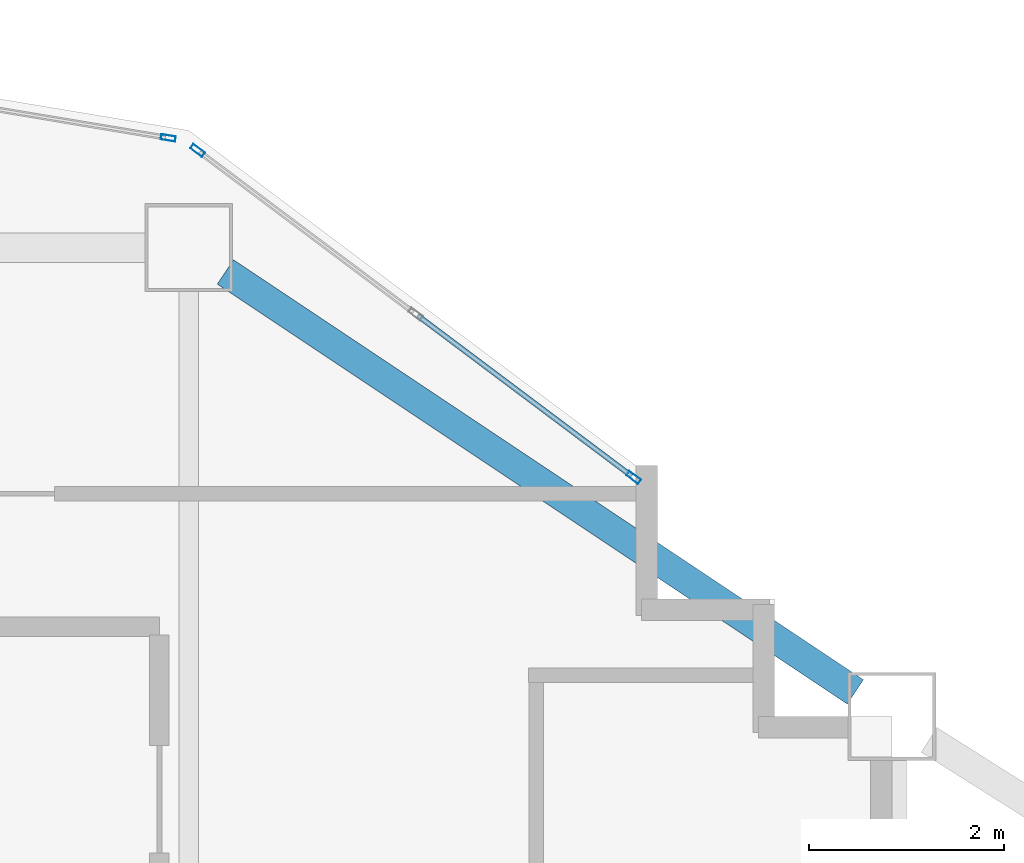
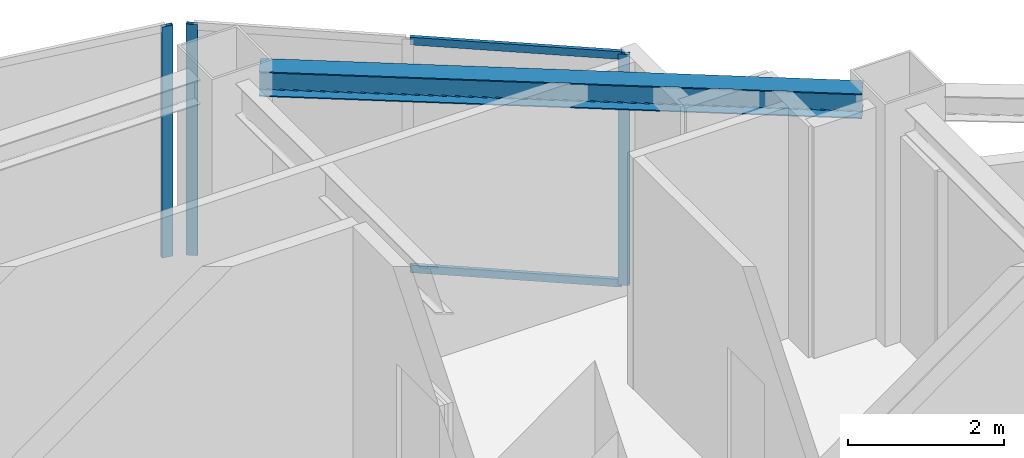
# One storey, part 3 of 11: 5 members, 1 beam, 2 elements without a shape of their own.
"""IFC4 building model written with IfcOpenShell, lengths in metres."""

from ifc_helpers import new_model, si_unit, direction, frame, origin, origin_2d, place, context, subcontext, project, spatial, hollow_rectangle, i_section, extrude, material, layer, layer_set, material_profile, profile_set, type_object, element, aggregate, save


model = new_model("IFC4")

# Units and contexts
model_context = context("Model", 3, precision=1e-05, world=origin(), true_north=direction((0.0, 1.0)))
body_context = subcontext(model_context, "Body", "Model", "MODEL_VIEW")
ifc_project = project(units=[si_unit("LENGTHUNIT", "METRE"), si_unit("AREAUNIT", "SQUARE_METRE"), si_unit("VOLUMEUNIT", "CUBIC_METRE"), si_unit("PLANEANGLEUNIT", "RADIAN"), si_unit("MASSUNIT", "GRAM", prefix="KILO")], contexts=[model_context])

# Site, building, storey
site_placement = place(None, origin())
site = spatial("IfcSite", under=ifc_project, at=site_placement, CompositionType="ELEMENT")
building_placement = place(site_placement, origin())
building = spatial("IfcBuilding", under=site, at=building_placement, Name="Haolan Belvedere Tower", CompositionType="ELEMENT")
storey_placement = place(building_placement, frame((0.0, 0.0, 223.0)))
storey = spatial("IfcBuildingStorey", under=building, at=storey_placement, Name="L56", CompositionType="ELEMENT", Elevation=223.0)

# Beam
ifc_material_1 = material(Name="Steel Q355B", Category="steel")
ifc_material_profile_1 = material_profile(ifc_material_1, i_section(OverallWidth=0.300048828125, OverallDepth=0.389892578125, WebThickness=0.010009765625, FlangeThickness=0.01611328125, FilletRadius=0.02197265625, at=origin_2d()), Name="Steel Q355B")
ifc_profile_set_1 = profile_set([ifc_material_profile_1], Name="Steel Q355B")
beam_type = type_object("IfcBeamType", Name="BM-HM390x300x10x16", PredefinedType="SPANDREL", material=ifc_profile_set_1)
beam_placement = place(storey_placement, frame((45.974365234375, 50.150390625, 3.425048828125), z_axis=(0.832050294338, -0.554700196225, 0.0), x_axis=(0.554700196225, 0.832050294338, 0.0)))
element("IfcBeam", 1, at=beam_placement, inside=storey, type_object=beam_type, Name="L56 spandrel girder MC-T3-N2-MC-T3-NE", PredefinedType="SPANDREL", context=body_context, shape_type="SweptSolid", body=[
    extrude(i_section(OverallWidth=0.300048828125, OverallDepth=0.389892578125, WebThickness=0.010009765625, FlangeThickness=0.01611328125, FilletRadius=0.02197265625, at=origin_2d()), origin(), (0.0, 0.0, 1.0), 7.75341796875),
])

# Curtain wall, members
ifc_material_2 = material(Name="Anodised champagne-silver aluminium 6063-T6 and Low-E glass", Category="aluminium")
ifc_layer = layer(ifc_material_2, 0.14990234375, Name="Anodised champagne-silver aluminium 6063-T6 and Low-E glass")
ifc_layer_set = layer_set([ifc_layer], Name="Anodised champagne-silver aluminium 6063-T6 and Low-E glass")
curtain_wall_type = type_object("IfcCurtainWallType", Name="CW-SYS-04", PredefinedType="NOTDEFINED", material=ifc_layer_set)
curtain_wall_1_placement = place(storey_placement, origin())
curtain_wall_1 = element("IfcCurtainWall", 2, at=curtain_wall_1_placement, inside=storey, type_object=curtain_wall_type, Name="L56 CW-SYS-04 ribbon curtain wall 20.1", PredefinedType="NOTDEFINED")
ifc_material_3 = material(Name="Anodised aluminium 6063-T6", Category="aluminium")
ifc_material_profile_2 = material_profile(ifc_material_3, hollow_rectangle(XDim=0.055908203125, YDim=0.14990234375, WallThickness=0.00390625, at=origin_2d()), Name="Anodised aluminium 6063-T6")
ifc_profile_set_2 = profile_set([ifc_material_profile_2], Name="Anodised aluminium 6063-T6")
member_type_1 = type_object("IfcMemberType", Name="CW-SYS-04-MUL", PredefinedType="MULLION", material=ifc_profile_set_2)
member_1_placement = place(storey_placement, frame((50.155517578125, 48.0458984375, 0.0), z_axis=(0.0, 0.0, 1.0), x_axis=(-0.600002837806, -0.799997871638, 0.0)))
member_1 = element("IfcMember", 3, at=member_1_placement, type_object=member_type_1, Name="CW-04 mullion 1", PredefinedType="MULLION", context=body_context, shape_type="SweptSolid", body=[
    extrude(hollow_rectangle(XDim=0.055908203125, YDim=0.14990234375, WallThickness=0.00390625, at=origin_2d()), origin(), (0.0, 0.0, 1.0), 3.6201171875),
])
member_2_placement = place(storey_placement, frame((45.68994140625, 51.39501953125, 0.0), z_axis=(0.0, 0.0, 1.0), x_axis=(-0.600002837806, -0.799997871638, 0.0)))
member_2 = element("IfcMember", 4, at=member_2_placement, type_object=member_type_1, Name="CW-04 mullion 3", PredefinedType="MULLION", context=body_context, shape_type="SweptSolid", body=[
    extrude(hollow_rectangle(XDim=0.055908203125, YDim=0.14990234375, WallThickness=0.00390625, at=origin_2d()), origin(), (0.0, 0.0, 1.0), 3.6201171875),
])

# Curtain wall, member
curtain_wall_2_placement = place(storey_placement, origin())
curtain_wall_2 = element("IfcCurtainWall", 5, at=curtain_wall_2_placement, inside=storey, type_object=curtain_wall_type, Name="L56 CW-SYS-04 ribbon curtain wall 21.1", PredefinedType="NOTDEFINED")
member_3_placement = place(storey_placement, frame((45.389892578125, 51.5234375, 0.0), z_axis=(0.0, 0.0, 1.0), x_axis=(-0.164405962825, -0.98639276122, 0.0)))
member_3 = element("IfcMember", 6, at=member_3_placement, type_object=member_type_1, Name="CW-04 mullion 1", PredefinedType="MULLION", context=body_context, shape_type="SweptSolid", body=[
    extrude(hollow_rectangle(XDim=0.055908203125, YDim=0.14990234375, WallThickness=0.00390625, at=origin_2d()), origin(), (0.0, 0.0, 1.0), 3.6201171875),
])
aggregate(curtain_wall_2, [member_3])

# Member
ifc_material_profile_3 = material_profile(ifc_material_3, hollow_rectangle(XDim=0.052001953125, YDim=0.1201171875, WallThickness=0.00390625, at=origin_2d()), Name="Anodised aluminium 6063-T6")
ifc_profile_set_3 = profile_set([ifc_material_profile_3], Name="Anodised aluminium 6063-T6")
member_type_2 = type_object("IfcMemberType", Name="CW-SYS-04-TRN", PredefinedType="USERDEFINED", material=ifc_profile_set_3)
member_4_placement = place(storey_placement, frame((50.13330078125, 48.0625, 0.02587890625), z_axis=(-0.800010710715, 0.59998571878, 0.0), x_axis=(-0.59998571878, -0.800010710715, 0.0)))
member_4 = element("IfcMember", 7, at=member_4_placement, type_object=member_type_2, Name="CW-04 transom 1.1", ObjectType="TRANSOM", PredefinedType="USERDEFINED", context=body_context, shape_type="SweptSolid", body=[
    extrude(hollow_rectangle(XDim=0.052001953125, YDim=0.1201171875, WallThickness=0.00390625, at=origin_2d()), origin(), (0.0, 0.0, 1.0), 2.7353515625),
])

member_5_placement = place(storey_placement, frame((50.13330078125, 48.0625, 3.593994140625), z_axis=(-0.800010710715, 0.59998571878, 0.0), x_axis=(-0.59998571878, -0.800010710715, 0.0)))
member_5 = element("IfcMember", 8, at=member_5_placement, type_object=member_type_2, Name="CW-04 transom 1.2", ObjectType="TRANSOM", PredefinedType="USERDEFINED", context=body_context, shape_type="SweptSolid", body=[
    extrude(hollow_rectangle(XDim=0.052001953125, YDim=0.1201171875, WallThickness=0.00390625, at=origin_2d()), origin(), (0.0, 0.0, 1.0), 2.7353515625),
])

aggregate(curtain_wall_1, [member_1, member_2, member_4, member_5])

save(model, "model.ifc")
